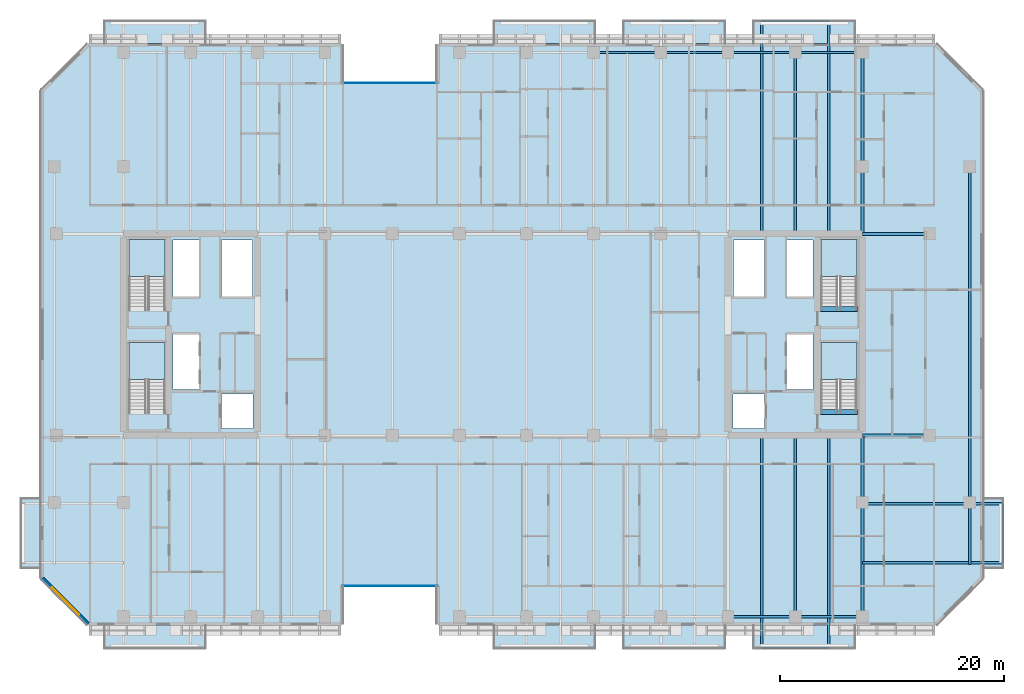
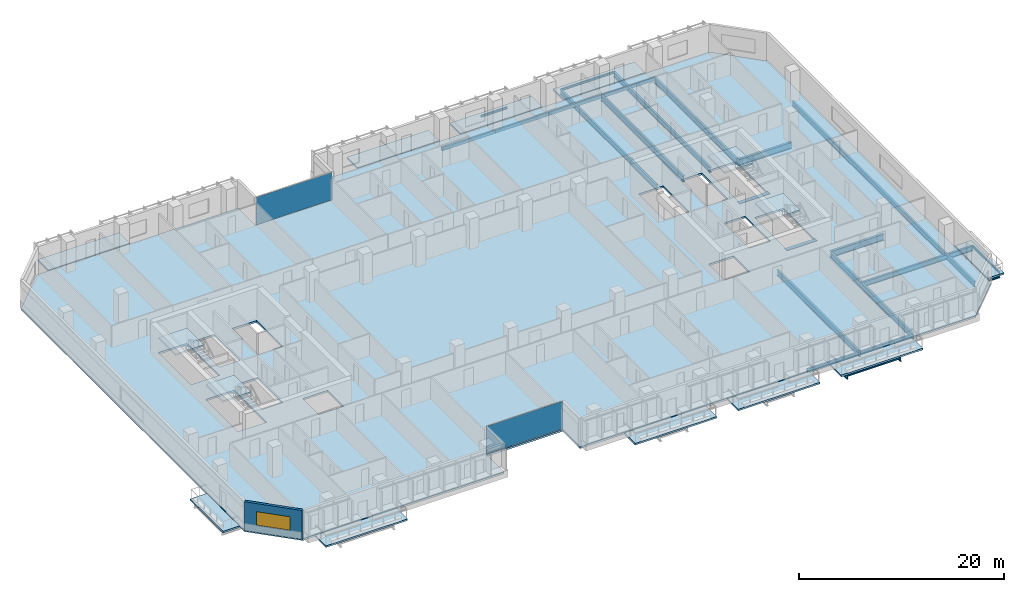
# One storey, part 9 of 26: 26 beams, 15 slabs, 2 plates, 1 wall, 1 window, 1 opening, 6 elements without a shape of their own.
"""IFC4 building model written with IfcOpenShell, lengths in metres."""

import ifcopenshell
import ifcopenshell.guid

model = None  # the IFC model being written
_history = None  # IfcOwnerHistory: only IFC2X3 demands one
_inside = {}  # id of a spatial element -> (the spatial element, [elements in it])
_under = {}  # id of a project, library or spatial element -> (it, [spatial elements below it])
_declared = {}  # id of a project -> (the project, [libraries it declares])
_typed = {}  # id of a type object -> (the type object, [elements of that type])
_made_of = {}  # id of a material, layer set ... -> (it, [elements and type objects made of it])


def new_model(schema):
    """Start an empty IFC model of exactly this schema.

    Asked for "IFC4X3", IfcOpenShell would pick the latest addendum, in which some entities
    have other attributes; the version numbers below select the first issue.
    IFC2X3 requires an IfcOwnerHistory on every rooted entity: one is made here for all.
    """
    global model, _history
    if schema == "IFC4X3":
        model = ifcopenshell.file(schema_version=(4, 3, 0, 0))
    else:
        model = ifcopenshell.file(schema=schema)
    _inside.clear()
    _under.clear()
    _declared.clear()
    _typed.clear()
    _made_of.clear()
    _history = None
    if model.schema == "IFC2X3":
        org = make("IfcOrganization", Name="unknown")
        user = make(
            "IfcPersonAndOrganization",
            ThePerson=make("IfcPerson", FamilyName="unknown"),
            TheOrganization=org,
        )
        app = make(
            "IfcApplication",
            ApplicationDeveloper=org,
            Version="unknown",
            ApplicationFullName="unknown",
            ApplicationIdentifier="unknown",
        )
        _history = make(
            "IfcOwnerHistory",
            OwningUser=user,
            OwningApplication=app,
            ChangeAction="ADDED",
            CreationDate=0,
        )
    return model


def make(cls, **values):
    """One entity of the class cls with the attributes given. An attribute that is None is left unset."""
    return model.create_entity(
        cls, **{name: value for name, value in values.items() if value is not None}
    )


def rooted(cls, **values):
    """An entity with a GlobalId (a new one), such as an element, a storey or a relation."""
    return make(cls, GlobalId=ifcopenshell.guid.new(), OwnerHistory=_history, **values)


def si_unit(unit_type, name, prefix=None):
    """IfcSIUnit, for example si_unit("LENGTHUNIT", "METRE", prefix="MILLI")."""
    return make("IfcSIUnit", UnitType=unit_type, Prefix=prefix, Name=name)


def assignment(units):
    """IfcUnitAssignment: the units of a project."""
    return None if units is None else make("IfcUnitAssignment", Units=units)


def point(xyz):
    """IfcCartesianPoint."""
    return None if xyz is None else make("IfcCartesianPoint", Coordinates=xyz)


def direction(xyz):
    """IfcDirection."""
    return None if xyz is None else make("IfcDirection", DirectionRatios=xyz)


def frame(location, z_axis=None, x_axis=None):
    """IfcAxis2Placement3D, a coordinate frame: its origin and axes. An axis left out is left unset."""
    return make(
        "IfcAxis2Placement3D",
        Location=point(location),
        Axis=direction(z_axis),
        RefDirection=direction(x_axis),
    )


def frame_2d(location, x_axis=None):
    """IfcAxis2Placement2D, a coordinate frame in the plane: its origin and x axis."""
    return make(
        "IfcAxis2Placement2D", Location=point(location), RefDirection=direction(x_axis)
    )


def origin():
    """The frame at (0, 0, 0) with its axes left unset."""
    return frame((0.0, 0.0, 0.0))


def origin_2d():
    """The frame at (0, 0) in the plane with its x axis left unset."""
    return frame_2d((0.0, 0.0))


def place(relative_to, where):
    """IfcLocalPlacement: puts the frame where relative to a parent placement (None: the world)."""
    return make(
        "IfcLocalPlacement", PlacementRelTo=relative_to, RelativePlacement=where
    )


def context(
    kind, dimensions, precision=None, world=None, true_north=None, identifier=None
):
    """IfcGeometricRepresentationContext, for example the 3D "Model" context."""
    return make(
        "IfcGeometricRepresentationContext",
        ContextIdentifier=identifier,
        ContextType=kind,
        CoordinateSpaceDimension=dimensions,
        Precision=precision,
        WorldCoordinateSystem=world,
        TrueNorth=true_north,
    )


def subcontext(parent, identifier, kind, view, scale=None):
    """IfcGeometricRepresentationSubContext, for example "Body" below "Model"."""
    return make(
        "IfcGeometricRepresentationSubContext",
        ContextIdentifier=identifier,
        ContextType=kind,
        ParentContext=parent,
        TargetScale=scale,
        TargetView=view,
    )


def project(units=None, contexts=None):
    """IfcProject with its units and contexts."""
    return rooted(
        "IfcProject",
        Name="project",
        RepresentationContexts=contexts,
        UnitsInContext=assignment(units),
    )


def spatial(cls, under=None, at=None, **own):
    """A site, building, storey or space (cls), placed at a placement, below another one or the project."""
    s = rooted(cls, ObjectPlacement=at, **own)
    if under is not None:
        _under.setdefault(under.id(), (under, []))[1].append(s)
    return s


def polyline(points):
    """IfcPolyline through the points."""
    return make("IfcPolyline", Points=[point(p) for p in points])


def profile(cls, at=None, kind="AREA", **sizes):
    """A parametric profile (cls). Its sizes go by their IFC names, for example OverallWidth=200.0."""
    return make(cls, ProfileType=kind, Position=at, **sizes)


def rectangle(**sizes):
    """IfcRectangleProfileDef."""
    return profile("IfcRectangleProfileDef", **sizes)


def hollow_rectangle(**sizes):
    """IfcRectangleHollowProfileDef."""
    return profile("IfcRectangleHollowProfileDef", **sizes)


def i_section(**sizes):
    """IfcIShapeProfileDef."""
    return profile("IfcIShapeProfileDef", **sizes)


def outline(outer, holes=None, kind="AREA"):
    """IfcArbitraryClosedProfileDef: a profile drawn as a closed curve; with holes, ...WithVoids."""
    if holes is None:
        return make("IfcArbitraryClosedProfileDef", ProfileType=kind, OuterCurve=outer)
    return make(
        "IfcArbitraryProfileDefWithVoids",
        ProfileType=kind,
        OuterCurve=outer,
        InnerCurves=holes,
    )


def extrude(swept, where, along, depth):
    """IfcExtrudedAreaSolid: the profile swept, set in the frame where, extruded along a direction by depth."""
    return make(
        "IfcExtrudedAreaSolid",
        SweptArea=swept,
        Position=where,
        ExtrudedDirection=direction(along),
        Depth=depth,
    )


def shape(context_of_items, identifier, shape_type, items):
    """IfcShapeRepresentation: the items that make up one representation, for example the "Body"."""
    return make(
        "IfcShapeRepresentation",
        ContextOfItems=context_of_items,
        RepresentationIdentifier=identifier,
        RepresentationType=shape_type,
        Items=items,
    )


def material(Name=None, Category=None):
    """IfcMaterial."""
    return make("IfcMaterial", Name=Name, Category=Category)


def layer(
    of_material, thickness, ventilated=None, Name=None, Category=None, Priority=None
):
    """IfcMaterialLayer: one layer of a wall or slab, of a material (None: an air gap)."""
    return make(
        "IfcMaterialLayer",
        Material=of_material,
        LayerThickness=thickness,
        IsVentilated=ventilated,
        Name=Name,
        Category=Category,
        Priority=Priority,
    )


def layer_set(layers, Name=None):
    """IfcMaterialLayerSet."""
    return make("IfcMaterialLayerSet", MaterialLayers=layers, LayerSetName=Name)


def material_profile(
    of_material, cross_section, Name=None, Category=None, Priority=None
):
    """IfcMaterialProfile: a cross section and its material."""
    return make(
        "IfcMaterialProfile",
        Name=Name,
        Material=of_material,
        Profile=cross_section,
        Priority=Priority,
        Category=Category,
    )


def profile_set(profiles, Name=None, composite=None):
    """IfcMaterialProfileSet."""
    return make(
        "IfcMaterialProfileSet",
        Name=Name,
        MaterialProfiles=profiles,
        CompositeProfile=composite,
    )


def made_of(thing, what):
    """Note that an element or type object is made of a material, layer set ...; save() writes the relation."""
    if what is not None:
        _made_of.setdefault(what.id(), (what, []))[1].append(thing)
    return thing


def type_object(cls, material=None, **own):
    """A type object (cls), such as IfcWallType, which elements share."""
    return made_of(rooted(cls, **own), material)


def element(
    cls,
    number,
    at=None,
    inside=None,
    cuts=None,
    type_object=None,
    material=None,
    context=None,
    identifier="Body",
    shape_type=None,
    held_by="IfcProductDefinitionShape",
    body=None,
    shapes=None,
    **own,
):
    """One element of the class cls, such as IfcWall. Its Tag is "e" and its number.

    at: its placement. inside: the storey or other place that contains it. cuts: it is an
    opening in that element (IfcRelVoidsElement). A single representation is given by context,
    identifier, shape_type and body (its items); several are given by shapes. held_by: the class
    of the entity that holds the representations. save() writes the other relations.
    """
    e = rooted(cls, Tag="e%d" % number, ObjectPlacement=at, **own)
    if body is not None:
        shapes = [shape(context, identifier, shape_type, body)]
    if shapes is not None:
        e.Representation = make(held_by, Representations=shapes)
    if inside is not None:
        _inside.setdefault(inside.id(), (inside, []))[1].append(e)
    if cuts is not None:
        rooted(
            "IfcRelVoidsElement", RelatingBuildingElement=cuts, RelatedOpeningElement=e
        )
    if type_object is not None:
        _typed.setdefault(type_object.id(), (type_object, []))[1].append(e)
    return made_of(e, material)


def fill(opening, filler):
    """IfcRelFillsElement: the door or window that sits in an opening."""
    return rooted(
        "IfcRelFillsElement",
        RelatingOpeningElement=opening,
        RelatedBuildingElement=filler,
    )


def aggregate(whole, parts):
    """IfcRelAggregates: a whole, such as a stair, and the parts it consists of."""
    return rooted("IfcRelAggregates", RelatingObject=whole, RelatedObjects=parts)


def save(model, path):
    """Write the relations noted so far, then the file.

    IfcRelAggregates (storeys below a building ...), IfcRelContainedInSpatialStructure (elements
    in a storey), IfcRelDefinesByType, IfcRelAssociatesMaterial and IfcRelDeclares: one each for
    every whole, place, type object, material and project.
    """
    for whole, parts in _under.values():
        aggregate(whole, parts)
    for where, things in _inside.values():
        rooted(
            "IfcRelContainedInSpatialStructure",
            RelatedElements=things,
            RelatingStructure=where,
        )
    for kind, things in _typed.values():
        rooted("IfcRelDefinesByType", RelatedObjects=things, RelatingType=kind)
    for what, things in _made_of.values():
        rooted("IfcRelAssociatesMaterial", RelatedObjects=things, RelatingMaterial=what)
    for by, libraries in _declared.values():
        rooted("IfcRelDeclares", RelatingContext=by, RelatedDefinitions=libraries)
    model.write(path)


model = new_model("IFC4")

# Units and contexts
model_context = context("Model", 3, precision=1e-05, world=origin(), true_north=direction((0.0, 1.0)))
body_context = subcontext(model_context, "Body", "Model", "MODEL_VIEW")
ifc_project = project(units=[si_unit("LENGTHUNIT", "METRE"), si_unit("AREAUNIT", "SQUARE_METRE"), si_unit("VOLUMEUNIT", "CUBIC_METRE"), si_unit("PLANEANGLEUNIT", "RADIAN"), si_unit("MASSUNIT", "GRAM", prefix="KILO")], contexts=[model_context])

# Site, building, storey
site_placement = place(None, origin())
site = spatial("IfcSite", under=ifc_project, at=site_placement, CompositionType="ELEMENT")
building_placement = place(site_placement, origin())
building = spatial("IfcBuilding", under=site, at=building_placement, Name="Tanjung Sevakor Pilgrim Tower", CompositionType="ELEMENT")
storey_placement = place(building_placement, frame((0.0, 0.0, 66.0)))
storey = spatial("IfcBuildingStorey", under=building, at=storey_placement, Name="L18", CompositionType="ELEMENT", Elevation=66.0)

# Beams
ifc_material_1 = material(Name="Steel S355J2", Category="steel")
ifc_material_profile_1 = material_profile(ifc_material_1, i_section(OverallWidth=0.26806640625, OverallDepth=0.769775390625, WebThickness=0.015625, FlangeThickness=0.025390625, FilletRadius=0.0166015625, at=origin_2d()))
ifc_profile_set_1 = profile_set([ifc_material_profile_1], Name="Steel S355J2")
beam_type_1 = type_object("IfcBeamType", Name="BM-B-G1-UB_762x267x197", PredefinedType="BEAM", material=ifc_profile_set_1)
for number, where, z_axis, x_axis, name in (
    (1, (90.0, 24.60009765625, -0.60498046875), (1.0, 0.0, 0.0), (0.0, 1.0, 0.0), "L18 Primary Floor Girder MAIN Y246-09"),
    (2, (90.0, 42.60009765625, -0.60498046875), (1.0, 0.0, 0.0), (0.0, 1.0, 0.0), "L18 Primary Floor Girder MAIN Y426-09"),
):
    element("IfcBeam", number, at=place(storey_placement, frame(where, z_axis=z_axis, x_axis=x_axis)), inside=storey, type_object=beam_type_1, Name=name, PredefinedType="BEAM", context=body_context, shape_type="SweptSolid", body=[
        extrude(i_section(OverallWidth=0.26806640625, OverallDepth=0.769775390625, WebThickness=0.015625, FlangeThickness=0.025390625, FilletRadius=0.0166015625, at=origin_2d()), origin(), (0.0, 0.0, 1.0), 6.0),
    ])
ifc_material_2 = material(Name="Steel S355J2", Category="steel")
ifc_material_profile_2 = material_profile(ifc_material_2, i_section(OverallWidth=0.25439453125, OverallDepth=0.6875, WebThickness=0.01318359375, FlangeThickness=0.02099609375, FilletRadius=0.01513671875, at=origin_2d()))
ifc_profile_set_2 = profile_set([ifc_material_profile_2], Name="Steel S355J2")
beam_type_2 = type_object("IfcBeamType", Name="BM-B-G2-UB_686x254x152", PredefinedType="BEAM", material=ifc_profile_set_2)
for number, where, z_axis, x_axis, name in (
    (3, (84.0, 8.39990234375, -0.563720703125), (0.0, 1.0, 0.0), (-1.0, 0.0, 0.0), "L18 MAIN Girder 027"),
    (4, (84.0, 42.73388671875, -0.563720703125), (0.0, 1.0, 0.0), (-1.0, 0.0, 0.0), "L18 MAIN Girder 028"),
    (5, (90.0, 8.39990234375, -0.563720703125), (0.0, 1.0, 0.0), (-1.0, 0.0, 0.0), "L18 MAIN Girder 029"),
    (6, (90.0, 42.73388671875, -0.563720703125), (0.0, 1.0, 0.0), (-1.0, 0.0, 0.0), "L18 MAIN Girder 030"),
):
    element("IfcBeam", number, at=place(storey_placement, frame(where, z_axis=z_axis, x_axis=x_axis)), inside=storey, type_object=beam_type_2, Name=name, PredefinedType="BEAM", context=body_context, shape_type="SweptSolid", body=[
        extrude(i_section(OverallWidth=0.25439453125, OverallDepth=0.6875, WebThickness=0.01318359375, FlangeThickness=0.02099609375, FilletRadius=0.01513671875, at=origin_2d()), origin(), (0.0, 0.0, 1.0), 16.066162109375),
    ])
ifc_material_3 = material(Name="Steel S355J2", Category="steel")
ifc_material_profile_3 = material_profile(ifc_material_3, i_section(OverallWidth=0.22900390625, OverallDepth=0.6123046875, WebThickness=0.011962890625, FlangeThickness=0.01953125, FilletRadius=0.0126953125, at=origin_2d()))
ifc_profile_set_3 = profile_set([ifc_material_profile_3], Name="Steel S355J2")
beam_type_3 = type_object("IfcBeamType", Name="BM-B-G4-UB_610x229x125", PredefinedType="BEAM", material=ifc_profile_set_3)
beam_1_placement = place(storey_placement, frame((99.60009765625, 18.60009765625, -0.526123046875), z_axis=(0.0, 1.0, 0.0), x_axis=(-1.0, 0.0, 0.0)))
element("IfcBeam", 7, at=beam_1_placement, inside=storey, type_object=beam_type_3, Name="L18 Short-End Edge Girder E", PredefinedType="BEAM", context=body_context, shape_type="SweptSolid", body=[
    extrude(i_section(OverallWidth=0.22900390625, OverallDepth=0.6123046875, WebThickness=0.011962890625, FlangeThickness=0.01953125, FilletRadius=0.0126953125, at=origin_2d()), origin(), (0.0, 0.0, 1.0), 30.0),
])
beam_2_placement = place(storey_placement, frame((99.60009765625, 18.60009765625, -0.526123046875), z_axis=(0.0, -1.0, 0.0), x_axis=(1.0, 0.0, 0.0)))
element("IfcBeam", 8, at=beam_2_placement, inside=storey, type_object=beam_type_3, Name="L18 Short-End Edge Extension S-E", PredefinedType="BEAM", context=body_context, shape_type="SweptSolid", body=[
    extrude(i_section(OverallWidth=0.22900390625, OverallDepth=0.6123046875, WebThickness=0.011962890625, FlangeThickness=0.01953125, FilletRadius=0.0126953125, at=origin_2d()), origin(), (0.0, 0.0, 1.0), 5.550048828125),
])
for number, where, z_axis, x_axis, name in (
    (9, (90.0, 13.199951171875, -0.526123046875), (1.0, 0.0, 0.0), (0.0, 1.0, 0.0), "L18 Balcony Overhanging Beam MAIN-E1-1"),
    (10, (90.0, 18.5, -0.526123046875), (1.0, 0.0, 0.0), (0.0, 1.0, 0.0), "L18 Balcony Overhanging Beam MAIN-E1-2"),
):
    element("IfcBeam", number, at=place(storey_placement, frame(where, z_axis=z_axis, x_axis=x_axis)), inside=storey, type_object=beam_type_3, Name=name, PredefinedType="BEAM", context=body_context, shape_type="SweptSolid", body=[
        extrude(i_section(OverallWidth=0.22900390625, OverallDepth=0.6123046875, WebThickness=0.011962890625, FlangeThickness=0.01953125, FilletRadius=0.0126953125, at=origin_2d()), origin(), (0.0, 0.0, 1.0), 12.530029296875),
    ])
beam_3_placement = place(storey_placement, frame((81.0, 24.466064453125, -0.526123046875), z_axis=(0.0, -1.0, 0.0), x_axis=(1.0, 0.0, 0.0)))
element("IfcBeam", 11, at=beam_3_placement, inside=storey, type_object=beam_type_3, Name="L18 Balcony Cantilever Beam MAIN-S4-1", PredefinedType="BEAM", context=body_context, shape_type="SweptSolid", body=[
    extrude(i_section(OverallWidth=0.22900390625, OverallDepth=0.6123046875, WebThickness=0.011962890625, FlangeThickness=0.01953125, FilletRadius=0.0126953125, at=origin_2d()), origin(), (0.0, 0.0, 1.0), 18.845947265625),
])
beam_4_placement = place(storey_placement, frame((81.0, 42.73388671875, -0.526123046875), z_axis=(0.0, 1.0, 0.0), x_axis=(-1.0, 0.0, 0.0)))
element("IfcBeam", 12, at=beam_4_placement, inside=storey, type_object=beam_type_3, Name="L18 Balcony Cantilever Beam MAIN-N4-1", PredefinedType="BEAM", context=body_context, shape_type="SweptSolid", body=[
    extrude(i_section(OverallWidth=0.22900390625, OverallDepth=0.6123046875, WebThickness=0.011962890625, FlangeThickness=0.01953125, FilletRadius=0.0126953125, at=origin_2d()), origin(), (0.0, 0.0, 1.0), 18.84619140625),
])
beam_5_placement = place(storey_placement, frame((87.0, 24.466064453125, -0.526123046875), z_axis=(0.0, -1.0, 0.0), x_axis=(1.0, 0.0, 0.0)))
element("IfcBeam", 13, at=beam_5_placement, inside=storey, type_object=beam_type_3, Name="L18 Balcony Cantilever Beam MAIN-S4-2", PredefinedType="BEAM", context=body_context, shape_type="SweptSolid", body=[
    extrude(i_section(OverallWidth=0.22900390625, OverallDepth=0.6123046875, WebThickness=0.011962890625, FlangeThickness=0.01953125, FilletRadius=0.0126953125, at=origin_2d()), origin(), (0.0, 0.0, 1.0), 18.845947265625),
])
beam_6_placement = place(storey_placement, frame((87.0, 42.73388671875, -0.526123046875), z_axis=(0.0, 1.0, 0.0), x_axis=(-1.0, 0.0, 0.0)))
element("IfcBeam", 14, at=beam_6_placement, inside=storey, type_object=beam_type_3, Name="L18 Balcony Cantilever Beam MAIN-N4-2", PredefinedType="BEAM", context=body_context, shape_type="SweptSolid", body=[
    extrude(i_section(OverallWidth=0.22900390625, OverallDepth=0.6123046875, WebThickness=0.011962890625, FlangeThickness=0.01953125, FilletRadius=0.0126953125, at=origin_2d()), origin(), (0.0, 0.0, 1.0), 18.84619140625),
])
ifc_material_4 = material(Name="Steel S355J2", Category="steel")
ifc_material_profile_4 = material_profile(ifc_material_4, i_section(OverallWidth=0.146484375, OverallDepth=0.256103515625, WebThickness=0.00634765625, FlangeThickness=0.010986328125, FilletRadius=0.007568359375, at=origin_2d()))
ifc_profile_set_4 = profile_set([ifc_material_profile_4], Name="Steel S355J2")
beam_type_4 = type_object("IfcBeamType", Name="BM-B-J6-UB_254x146x37", PredefinedType="JOIST", material=ifc_profile_set_4)
beam_7_placement = place(storey_placement, frame((72.0, 61.580078125, -0.327880859375), z_axis=(1.0, 0.0, 0.0), x_axis=(0.0, 1.0, 0.0)))
element("IfcBeam", 15, at=beam_7_placement, inside=storey, type_object=beam_type_4, Name="L18 Balcony Rim Tie MAIN-N3", PredefinedType="JOIST", context=body_context, shape_type="SweptSolid", body=[
    extrude(i_section(OverallWidth=0.146484375, OverallDepth=0.256103515625, WebThickness=0.00634765625, FlangeThickness=0.010986328125, FilletRadius=0.007568359375, at=origin_2d()), origin(), (0.0, 0.0, 1.0), 3.0),
])
for number, where, z_axis, x_axis, name in (
    (16, (81.0, 5.6201171875, -0.327880859375), (1.0, 0.0, 0.0), (0.0, 1.0, 0.0), "L18 Balcony Rim Tie MAIN-S4"),
    (17, (81.0, 61.580078125, -0.327880859375), (1.0, 0.0, 0.0), (0.0, 1.0, 0.0), "L18 Balcony Rim Tie MAIN-N4"),
):
    element("IfcBeam", number, at=place(storey_placement, frame(where, z_axis=z_axis, x_axis=x_axis)), inside=storey, type_object=beam_type_4, Name=name, PredefinedType="JOIST", context=body_context, shape_type="SweptSolid", body=[
        extrude(i_section(OverallWidth=0.146484375, OverallDepth=0.256103515625, WebThickness=0.00634765625, FlangeThickness=0.010986328125, FilletRadius=0.007568359375, at=origin_2d()), origin(), (0.0, 0.0, 1.0), 6.0),
    ])
beam_8_placement = place(storey_placement, frame((102.530029296875, 13.199951171875, -0.327880859375), z_axis=(0.0, 1.0, 0.0), x_axis=(-1.0, 0.0, 0.0)))
element("IfcBeam", 18, at=beam_8_placement, inside=storey, type_object=beam_type_4, Name="L18 Balcony Rim Tie MAIN-E1", PredefinedType="JOIST", context=body_context, shape_type="SweptSolid", body=[
    extrude(i_section(OverallWidth=0.146484375, OverallDepth=0.256103515625, WebThickness=0.00634765625, FlangeThickness=0.010986328125, FilletRadius=0.007568359375, at=origin_2d()), origin(), (0.0, 0.0, 1.0), 5.300048828125),
])
ifc_material_5 = material(Name="Concrete C60/75", Category="concrete")
ifc_material_profile_5 = material_profile(ifc_material_5, rectangle(XDim=0.449951171875, YDim=0.699951171875, at=origin_2d()))
ifc_profile_set_5 = profile_set([ifc_material_profile_5], Name="Concrete C60/75")
beam_type_5 = type_object("IfcBeamType", Name="BM-B-LN3-RC-BM_450x700", PredefinedType="LINTEL", material=ifc_profile_set_5)
for number, where, z_axis, x_axis, name in (
    (19, (86.199951171875, 26.699951171875, -0.35009765625), (1.0, 0.0, 0.0), (0.0, 1.0, 0.0), "L18 TS-E1 Stair Threshold Beam"),
    (20, (86.199951171875, 35.89990234375, -0.35009765625), (1.0, 0.0, 0.0), (0.0, 1.0, 0.0), "L18 TS-E2 Stair Threshold Beam"),
):
    element("IfcBeam", number, at=place(storey_placement, frame(where, z_axis=z_axis, x_axis=x_axis)), inside=storey, type_object=beam_type_5, Name=name, PredefinedType="LINTEL", context=body_context, shape_type="SweptSolid", body=[
        extrude(rectangle(XDim=0.449951171875, YDim=0.699951171875, at=origin_2d()), origin(), (0.0, 0.0, 1.0), 3.400146484375),
    ])
ifc_material_6 = material(Name="Steel S355J2", Category="steel")
ifc_material_profile_6 = material_profile(ifc_material_6, hollow_rectangle(XDim=0.199951171875, YDim=0.39990234375, WallThickness=0.01611328125, at=origin_2d()))
ifc_profile_set_6 = profile_set([ifc_material_profile_6], Name="Steel S355J2")
beam_type_6 = type_object("IfcBeamType", Name="BM-B-SP2-RHS_400x200x16", PredefinedType="SPANDREL", material=ifc_profile_set_6)
for number, where, z_axis, x_axis, name in (
    (21, (66.0, 58.800048828125, -0.419921875), (1.0, 0.0, 0.0), (0.0, 1.0, 0.0), "L18 Spandrel MAIN N-12"),
    (22, (72.0, 58.800048828125, -0.419921875), (1.0, 0.0, 0.0), (0.0, 1.0, 0.0), "L18 Spandrel MAIN N-14"),
    (23, (78.0, 8.39990234375, -0.419921875), (1.0, 0.0, 0.0), (0.0, 1.0, 0.0), "L18 Spandrel MAIN S-15"),
    (24, (78.0, 58.800048828125, -0.419921875), (1.0, 0.0, 0.0), (0.0, 1.0, 0.0), "L18 Spandrel MAIN N-16"),
    (25, (84.0, 8.39990234375, -0.419921875), (1.0, 0.0, 0.0), (0.0, 1.0, 0.0), "L18 Spandrel MAIN S-17"),
    (26, (84.0, 58.800048828125, -0.419921875), (1.0, 0.0, 0.0), (0.0, 1.0, 0.0), "L18 Spandrel MAIN N-18"),
):
    element("IfcBeam", number, at=place(storey_placement, frame(where, z_axis=z_axis, x_axis=x_axis)), inside=storey, type_object=beam_type_6, Name=name, PredefinedType="SPANDREL", context=body_context, shape_type="SweptSolid", body=[
        extrude(hollow_rectangle(XDim=0.199951171875, YDim=0.39990234375, WallThickness=0.01611328125, at=origin_2d()), origin(), (0.0, 0.0, 1.0), 6.0),
    ])

# Slabs
ifc_material_7 = material(Name="Concrete C40/50", Category="concrete")
ifc_layer_1 = layer(ifc_material_7, 0.199951171875)
ifc_layer_set_1 = layer_set([ifc_layer_1], Name="SL-BAL-200")
slab_type_1 = type_object("IfcSlabType", Name="SL-BAL-200", PredefinedType="FLOOR", material=ifc_layer_set_1)
slab_1_placement = place(storey_placement, frame((0.0, 0.0, -0.199951171875)))
element("IfcSlab", 27, at=slab_1_placement, inside=storey, type_object=slab_type_1, Name="L18 Planted Loggia Balcony MAIN-S1", PredefinedType="FLOOR", context=body_context, shape_type="SweptSolid", body=[
    extrude(outline(polyline([(22.199951171875, 5.5), (31.39990234375, 5.5), (31.39990234375, 7.60009765625), (22.199951171875, 7.60009765625), (22.199951171875, 5.5)])), origin(), (0.0, 0.0, 1.0), 0.199951171875),
])
slab_2_placement = place(storey_placement, frame((0.0, 0.0, -0.199951171875)))
element("IfcSlab", 28, at=slab_2_placement, inside=storey, type_object=slab_type_1, Name="L18 Planted Loggia Balcony MAIN-N1", PredefinedType="FLOOR", context=body_context, shape_type="SweptSolid", body=[
    extrude(outline(polyline([(22.199951171875, 59.60009765625), (31.39990234375, 59.60009765625), (31.39990234375, 61.699951171875), (22.199951171875, 61.699951171875), (22.199951171875, 59.60009765625)])), origin(), (0.0, 0.0, 1.0), 0.199951171875),
])
slab_3_placement = place(storey_placement, frame((0.0, 0.0, -0.199951171875)))
element("IfcSlab", 29, at=slab_3_placement, inside=storey, type_object=slab_type_1, Name="L18 Planted Loggia Balcony MAIN-S2", PredefinedType="FLOOR", context=body_context, shape_type="SweptSolid", body=[
    extrude(outline(polyline([(57.0, 5.5), (66.199951171875, 5.5), (66.199951171875, 7.60009765625), (57.0, 7.60009765625), (57.0, 5.5)])), origin(), (0.0, 0.0, 1.0), 0.199951171875),
])
slab_4_placement = place(storey_placement, frame((0.0, 0.0, -0.199951171875)))
element("IfcSlab", 30, at=slab_4_placement, inside=storey, type_object=slab_type_1, Name="L18 Planted Loggia Balcony MAIN-N2", PredefinedType="FLOOR", context=body_context, shape_type="SweptSolid", body=[
    extrude(outline(polyline([(57.0, 59.60009765625), (66.199951171875, 59.60009765625), (66.199951171875, 61.699951171875), (57.0, 61.699951171875), (57.0, 59.60009765625)])), origin(), (0.0, 0.0, 1.0), 0.199951171875),
])
slab_5_placement = place(storey_placement, frame((0.0, 0.0, -0.199951171875)))
element("IfcSlab", 31, at=slab_5_placement, inside=storey, type_object=slab_type_1, Name="L18 Planted Loggia Balcony MAIN-S3", PredefinedType="FLOOR", context=body_context, shape_type="SweptSolid", body=[
    extrude(outline(polyline([(68.60009765625, 5.5), (77.800048828125, 5.5), (77.800048828125, 7.60009765625), (68.60009765625, 7.60009765625), (68.60009765625, 5.5)])), origin(), (0.0, 0.0, 1.0), 0.199951171875),
])
slab_6_placement = place(storey_placement, frame((0.0, 0.0, -0.199951171875)))
element("IfcSlab", 32, at=slab_6_placement, inside=storey, type_object=slab_type_1, Name="L18 Planted Loggia Balcony MAIN-N3", PredefinedType="FLOOR", context=body_context, shape_type="SweptSolid", body=[
    extrude(outline(polyline([(68.60009765625, 59.60009765625), (77.800048828125, 59.60009765625), (77.800048828125, 61.699951171875), (68.60009765625, 61.699951171875), (68.60009765625, 59.60009765625)])), origin(), (0.0, 0.0, 1.0), 0.199951171875),
])
slab_7_placement = place(storey_placement, frame((0.0, 0.0, -0.199951171875)))
element("IfcSlab", 33, at=slab_7_placement, inside=storey, type_object=slab_type_1, Name="L18 Planted Loggia Balcony MAIN-S4", PredefinedType="FLOOR", context=body_context, shape_type="SweptSolid", body=[
    extrude(outline(polyline([(80.199951171875, 5.5), (89.39990234375, 5.5), (89.39990234375, 7.60009765625), (80.199951171875, 7.60009765625), (80.199951171875, 5.5)])), origin(), (0.0, 0.0, 1.0), 0.199951171875),
])
slab_8_placement = place(storey_placement, frame((0.0, 0.0, -0.199951171875)))
element("IfcSlab", 34, at=slab_8_placement, inside=storey, type_object=slab_type_1, Name="L18 Planted Loggia Balcony MAIN-N4", PredefinedType="FLOOR", context=body_context, shape_type="SweptSolid", body=[
    extrude(outline(polyline([(80.199951171875, 59.60009765625), (89.39990234375, 59.60009765625), (89.39990234375, 61.699951171875), (80.199951171875, 61.699951171875), (80.199951171875, 59.60009765625)])), origin(), (0.0, 0.0, 1.0), 0.199951171875),
])
slab_9_placement = place(storey_placement, frame((0.0, 0.0, -0.199951171875)))
element("IfcSlab", 35, at=slab_9_placement, inside=storey, type_object=slab_type_1, Name="L18 Planted Loggia Balcony MAIN-W1", PredefinedType="FLOOR", context=body_context, shape_type="SweptSolid", body=[
    extrude(outline(polyline([(14.75, 12.64990234375), (16.60009765625, 12.64990234375), (16.60009765625, 19.050048828125), (14.75, 19.050048828125), (14.75, 12.64990234375)])), origin(), (0.0, 0.0, 1.0), 0.199951171875),
])
slab_10_placement = place(storey_placement, frame((0.0, 0.0, -0.199951171875)))
element("IfcSlab", 36, at=slab_10_placement, inside=storey, type_object=slab_type_1, Name="L18 Planted Loggia Balcony MAIN-E1", PredefinedType="FLOOR", context=body_context, shape_type="SweptSolid", body=[
    extrude(outline(polyline([(100.800048828125, 12.64990234375), (102.64990234375, 12.64990234375), (102.64990234375, 19.050048828125), (100.800048828125, 19.050048828125), (100.800048828125, 12.64990234375)])), origin(), (0.0, 0.0, 1.0), 0.199951171875),
])

# Stair, slab
ifc_material_8 = material(Name="Concrete C40/50", Category="concrete")
stair_type = type_object("IfcStairType", Name="STAIR-ST-CR150", PredefinedType="HALF_TURN_STAIR", material=ifc_material_8)
stair_1_placement = place(storey_placement, origin())
stair_1 = element("IfcStair", 37, at=stair_1_placement, inside=storey, type_object=stair_type, Name="L18 West Core Exit Stair 1", PredefinedType="HALF_TURN_STAIR")
ifc_material_9 = material(Name="Concrete C40/50", Category="concrete")
ifc_layer_2 = layer(ifc_material_9, 0.199951171875)
ifc_layer_set_2 = layer_set([ifc_layer_2], Name="SL-LAND-200")
slab_type_2 = type_object("IfcSlabType", Name="SL-LAND-200", PredefinedType="LANDING", material=ifc_layer_set_2)
slab_11_placement = place(storey_placement, frame((0.0, 0.0, 1.614990234375)))
slab_11 = element("IfcSlab", 38, at=slab_11_placement, type_object=slab_type_2, Name="TS-W1 landing 1", PredefinedType="LANDING", context=body_context, shape_type="SweptSolid", body=[
    extrude(outline(polyline([(27.699951171875, 29.60009765625), (27.699951171875, 32.89990234375), (24.5, 32.89990234375), (24.5, 29.60009765625), (27.699951171875, 29.60009765625)])), origin(), (0.0, 0.0, 1.0), 0.199951171875),
])
aggregate(stair_1, [slab_11])

stair_2_placement = place(storey_placement, origin())
stair_2 = element("IfcStair", 39, at=stair_2_placement, inside=storey, type_object=stair_type, Name="L18 West Core Exit Stair 2", PredefinedType="HALF_TURN_STAIR")
slab_12_placement = place(storey_placement, frame((0.0, 0.0, 1.614990234375)))
slab_12 = element("IfcSlab", 40, at=slab_12_placement, type_object=slab_type_2, Name="TS-W2 landing 1", PredefinedType="LANDING", context=body_context, shape_type="SweptSolid", body=[
    extrude(outline(polyline([(27.699951171875, 38.800048828125), (27.699951171875, 42.10009765625), (24.5, 42.10009765625), (24.5, 38.800048828125), (27.699951171875, 38.800048828125)])), origin(), (0.0, 0.0, 1.0), 0.199951171875),
])
aggregate(stair_2, [slab_12])

stair_3_placement = place(storey_placement, origin())
stair_3 = element("IfcStair", 41, at=stair_3_placement, inside=storey, type_object=stair_type, Name="L18 East Core Exit Stair 1", PredefinedType="HALF_TURN_STAIR")
slab_13_placement = place(storey_placement, frame((0.0, 0.0, 1.614990234375)))
slab_13 = element("IfcSlab", 42, at=slab_13_placement, type_object=slab_type_2, Name="TS-E1 landing 1", PredefinedType="LANDING", context=body_context, shape_type="SweptSolid", body=[
    extrude(outline(polyline([(89.5, 29.60009765625), (89.5, 32.89990234375), (86.300048828125, 32.89990234375), (86.300048828125, 29.60009765625), (89.5, 29.60009765625)])), origin(), (0.0, 0.0, 1.0), 0.199951171875),
])
aggregate(stair_3, [slab_13])

stair_4_placement = place(storey_placement, origin())
stair_4 = element("IfcStair", 43, at=stair_4_placement, inside=storey, type_object=stair_type, Name="L18 East Core Exit Stair 2", PredefinedType="HALF_TURN_STAIR")
slab_14_placement = place(storey_placement, frame((0.0, 0.0, 1.614990234375)))
slab_14 = element("IfcSlab", 44, at=slab_14_placement, type_object=slab_type_2, Name="TS-E2 landing 1", PredefinedType="LANDING", context=body_context, shape_type="SweptSolid", body=[
    extrude(outline(polyline([(89.5, 38.800048828125), (89.5, 42.10009765625), (86.300048828125, 42.10009765625), (86.300048828125, 38.800048828125), (89.5, 38.800048828125)])), origin(), (0.0, 0.0, 1.0), 0.199951171875),
])
aggregate(stair_4, [slab_14])

# Slab
ifc_material_10 = material(Name="Concrete C40/50", Category="concrete")
ifc_layer_3 = layer(ifc_material_10, 0.219970703125)
ifc_layer_set_3 = layer_set([ifc_layer_3], Name="SL-TWR-220")
slab_type_3 = type_object("IfcSlabType", Name="SL-TWR-220", PredefinedType="FLOOR", material=ifc_layer_set_3)
slab_15_placement = place(storey_placement, frame((0.0, 0.0, -0.219970703125)))
element("IfcSlab", 45, at=slab_15_placement, inside=storey, type_object=slab_type_3, Name="L18 Floor Slab MAIN", PredefinedType="FLOOR", context=body_context, shape_type="SweptSolid", body=[
    extrude(outline(polyline([(20.846923828125, 7.679931640625), (43.52001953125, 7.679931640625), (43.52001953125, 11.080078125), (52.080078125, 11.080078125), (52.080078125, 7.679931640625), (96.552978515625, 7.679931640625), (100.719970703125, 11.846923828125), (100.719970703125, 55.35302734375), (96.552978515625, 59.52001953125), (52.080078125, 59.52001953125), (52.080078125, 56.1201171875), (43.52001953125, 56.1201171875), (43.52001953125, 59.52001953125), (20.846923828125, 59.52001953125), (16.679931640625, 55.35302734375), (16.679931640625, 11.846923828125), (20.846923828125, 7.679931640625)]), holes=[polyline([(27.699951171875, 26.60009765625), (27.699951171875, 32.89990234375), (24.5, 32.89990234375), (24.5, 26.60009765625), (27.699951171875, 26.60009765625)]), polyline([(27.699951171875, 35.800048828125), (27.699951171875, 42.10009765625), (24.5, 42.10009765625), (24.5, 35.800048828125), (27.699951171875, 35.800048828125)]), polyline([(89.5, 26.60009765625), (89.5, 32.89990234375), (86.300048828125, 32.89990234375), (86.300048828125, 26.60009765625), (89.5, 26.60009765625)]), polyline([(89.5, 35.800048828125), (89.5, 42.10009765625), (86.300048828125, 42.10009765625), (86.300048828125, 35.800048828125), (89.5, 35.800048828125)]), polyline([(32.75, 25.199951171875), (35.550048828125, 25.199951171875), (35.550048828125, 28.300048828125), (32.75, 28.300048828125), (32.75, 25.199951171875)]), polyline([(28.39990234375, 28.699951171875), (30.75, 28.699951171875), (30.75, 33.60009765625), (28.39990234375, 33.60009765625), (28.39990234375, 28.699951171875)]), polyline([(28.39990234375, 37.0), (30.75, 37.0), (30.75, 42.050048828125), (28.39990234375, 42.050048828125), (28.39990234375, 37.0)]), polyline([(32.75, 37.0), (35.5, 37.0), (35.5, 42.050048828125), (32.75, 42.050048828125), (32.75, 37.0)]), polyline([(78.449951171875, 25.199951171875), (81.25, 25.199951171875), (81.25, 28.300048828125), (78.449951171875, 28.300048828125), (78.449951171875, 25.199951171875)]), polyline([(83.25, 28.699951171875), (85.60009765625, 28.699951171875), (85.60009765625, 33.60009765625), (83.25, 33.60009765625), (83.25, 28.699951171875)]), polyline([(83.25, 37.0), (85.60009765625, 37.0), (85.60009765625, 42.050048828125), (83.25, 42.050048828125), (83.25, 37.0)]), polyline([(78.5, 37.0), (81.25, 37.0), (81.25, 42.050048828125), (78.5, 42.050048828125), (78.5, 37.0)])]), origin(), (0.0, 0.0, 1.0), 0.219970703125),
])

# Curtain wall, plate
ifc_material_11 = material(Name="Aluminium 6063-T6 and Low-E Glass", Category="aluminium")
ifc_layer_4 = layer(ifc_material_11, 0.179931640625)
ifc_layer_set_4 = layer_set([ifc_layer_4], Name="CW-SYS-CLEFT")
curtain_wall_type = type_object("IfcCurtainWallType", Name="CW-SYS-CLEFT", PredefinedType="NOTDEFINED", material=ifc_layer_set_4)
curtain_wall_1_placement = place(storey_placement, origin())
curtain_wall_1 = element("IfcCurtainWall", 46, at=curtain_wall_1_placement, inside=storey, type_object=curtain_wall_type, Name="L18 Curtain Wall CW-CLF-L18-2", PredefinedType="NOTDEFINED")
ifc_material_12 = material(Name="Laminated Low-E Double Glazing", Category="glass")
ifc_layer_5 = layer(ifc_material_12, 0.028076171875)
ifc_layer_set_5 = layer_set([ifc_layer_5], Name="TYPE-CWP-GLZ1")
plate_type = type_object("IfcPlateType", Name="TYPE-CWP-GLZ1", PredefinedType="CURTAIN_PANEL", material=ifc_layer_set_5)
plate_1_placement = place(storey_placement, frame((47.800048828125, 11.139892578125, 0.06494140625), z_axis=(0.0, 0.0, 1.0), x_axis=(1.0, 0.0, 0.0)))
plate_1 = element("IfcPlate", 47, at=plate_1_placement, type_object=plate_type, Name="CW-CLF panel 1.1", PredefinedType="CURTAIN_PANEL", context=body_context, shape_type="SweptSolid", body=[
    extrude(rectangle(XDim=8.530029296875, YDim=0.028076171875, at=origin_2d()), origin(), (0.0, 0.0, 1.0), 3.280029296875),
])
aggregate(curtain_wall_1, [plate_1])

curtain_wall_2_placement = place(storey_placement, origin())
curtain_wall_2 = element("IfcCurtainWall", 48, at=curtain_wall_2_placement, inside=storey, type_object=curtain_wall_type, Name="L18 Curtain Wall CW-CLF-L18-10", PredefinedType="NOTDEFINED")
plate_2_placement = place(storey_placement, frame((47.800048828125, 56.06005859375, 0.06494140625), z_axis=(0.0, 0.0, 1.0), x_axis=(-1.0, 0.0, 0.0)))
plate_2 = element("IfcPlate", 49, at=plate_2_placement, type_object=plate_type, Name="CW-CLF panel 1.1", PredefinedType="CURTAIN_PANEL", context=body_context, shape_type="SweptSolid", body=[
    extrude(rectangle(XDim=8.530029296875, YDim=0.028076171875, at=origin_2d()), origin(), (0.0, 0.0, 1.0), 3.280029296875),
])
aggregate(curtain_wall_2, [plate_2])

# Wall, opening, window
ifc_material_13 = material(Name="Precast concrete C45/55", Category="concrete")
ifc_layer_6 = layer(ifc_material_13, 0.280029296875)
ifc_layer_set_6 = layer_set([ifc_layer_6], Name="WT-EW-STN2")
wall_type = type_object("IfcWallType", Name="WT-EW-STN2", PredefinedType="SOLIDWALL", material=ifc_layer_set_6)
wall_placement = place(storey_placement, frame((16.739990234375, 11.85791015625, 0.0), z_axis=(0.0, 0.0, 1.0), x_axis=(0.707106781187, -0.707106781187, 0.0)))
wall = element("IfcWall", 50, at=wall_placement, inside=storey, type_object=wall_type, Name="L18 MAIN Sculpted Corner Wall 15", PredefinedType="SOLIDWALL", context=body_context, shape_type="SweptSolid", body=[
    extrude(rectangle(XDim=5.82373046875, YDim=0.280029296875, at=frame_2d((2.911865234375, 0.0))), origin(), (0.0, 0.0, 1.0), 3.409912109375),
])
opening_placement = place(wall_placement, frame((1.2119140625, 0.0, 0.780029296875)))
opening = element("IfcOpeningElement", 51, at=opening_placement, cuts=wall, Name="Opening WN-CHM-1660", PredefinedType="OPENING", context=body_context, shape_type="SweptSolid", body=[
    extrude(rectangle(XDim=3.39990234375, YDim=1.659912109375, at=frame_2d((1.699951171875, 0.830078125))), frame((0.0, 0.14990234375, 0.0), z_axis=(0.0, -1.0, 0.0), x_axis=(1.0, 0.0, 0.0)), (0.0, 0.0, 1.0), 0.300048828125),
])
ifc_material_14 = material(Name="Thermally Broken Aluminium and Low-E Glass", Category="aluminium")
window_type = type_object("IfcWindowType", Name="WTYP-WN-CHM-1660", PartitioningType="DOUBLE_PANEL_VERTICAL", PredefinedType="WINDOW", material=ifc_material_14)
window_placement = place(opening_placement, origin())
window = element("IfcWindow", 52, at=window_placement, inside=storey, type_object=window_type, Name="L18 Facade Window 01", OverallHeight=1.659912109375, OverallWidth=3.39990234375, PartitioningType="SINGLE_PANEL", PredefinedType="WINDOW", context=body_context, shape_type="SweptSolid", body=[
    extrude(rectangle(XDim=3.39990234375, YDim=1.659912109375, at=frame_2d((1.699951171875, 0.830078125))), frame((0.0, 0.030029296875, 0.0), z_axis=(0.0, -1.0, 0.0), x_axis=(1.0, 0.0, 0.0)), (0.0, 0.0, 1.0), 0.06005859375),
])
fill(opening, window)

save(model, "model.ifc")
